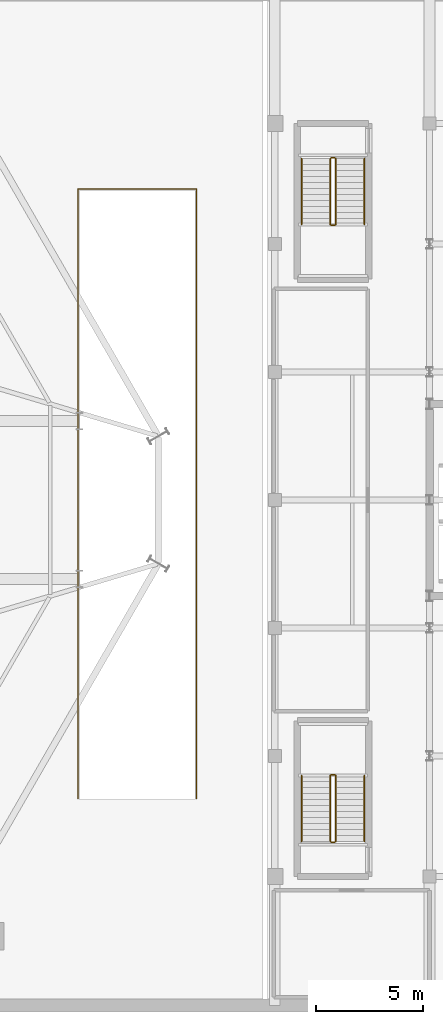
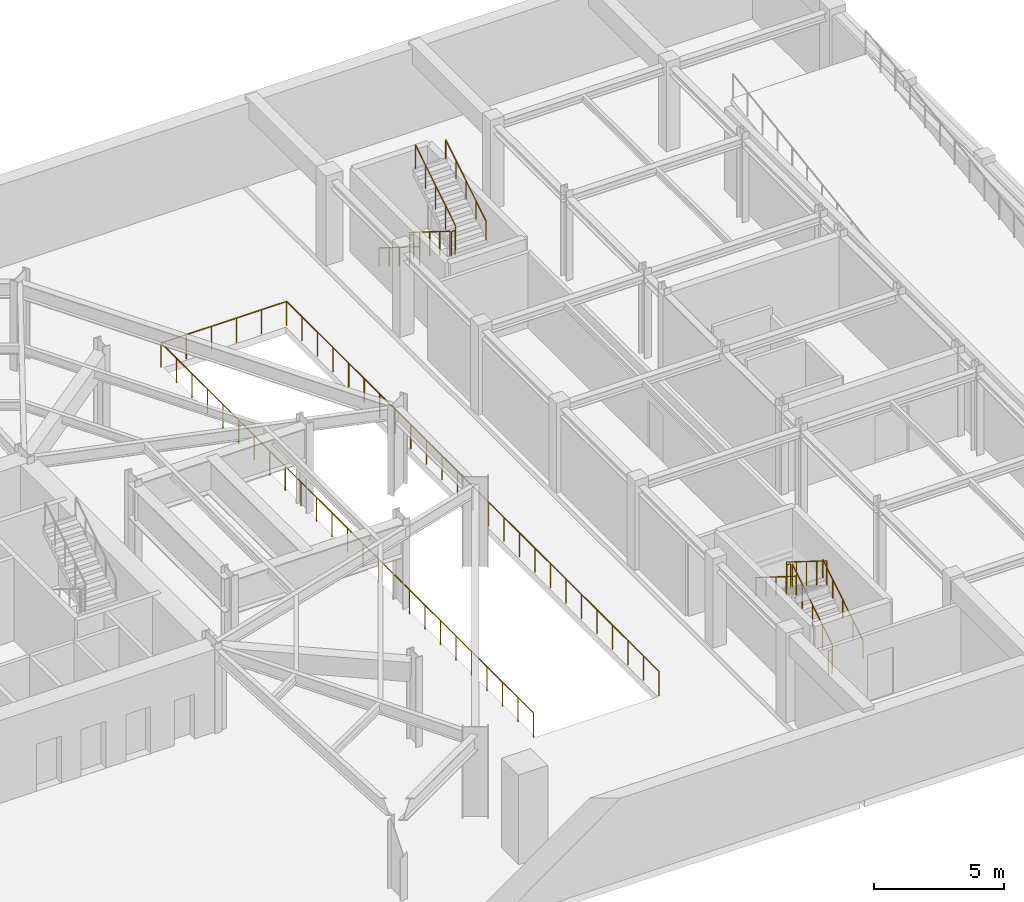
# One storey, part 11 of 12: 13 railings.
"""IFC4 building model written with IfcOpenShell, lengths in metres."""

from ifc_helpers import new_model, si_unit, direction, frame, origin, origin_2d, place, context, subcontext, project, spatial, circle, extrude, material, type_object, element, save


model = new_model("IFC4")

# Units and contexts
model_context = context("Model", 3, precision=1e-05, world=origin(), true_north=direction((0.0, 1.0)))
body_context = subcontext(model_context, "Body", "Model", "MODEL_VIEW")
ifc_project = project(units=[si_unit("LENGTHUNIT", "METRE"), si_unit("AREAUNIT", "SQUARE_METRE"), si_unit("VOLUMEUNIT", "CUBIC_METRE"), si_unit("PLANEANGLEUNIT", "RADIAN"), si_unit("MASSUNIT", "GRAM", prefix="KILO")], contexts=[model_context])

# Site, building, storey
site_placement = place(None, origin())
site = spatial("IfcSite", under=ifc_project, at=site_placement, CompositionType="ELEMENT")
building_placement = place(site_placement, origin())
building = spatial("IfcBuilding", under=site, at=building_placement, Name="Kranzbogen Civic Tower", CompositionType="ELEMENT")
storey_placement = place(building_placement, frame((0.0, 0.0, -4.199951171875)))
storey = spatial("IfcBuildingStorey", under=building, at=storey_placement, Name="B01", CompositionType="ELEMENT", Elevation=-4.199951171875)

# Railings
ifc_material_1 = material(Name="Steel S355", Category="steel")
railing_type_1 = type_object("IfcRailingType", Name="Internal Stair and Void Steel Guardrail 1150", PredefinedType="GUARDRAIL", material=ifc_material_1)
railing_1_placement = place(storey_placement, frame((55.199951171875, 9.0, 0.175048828125)))
element("IfcRailing", 1, at=railing_1_placement, inside=storey, type_object=railing_type_1, Name="B01 ST-H1 stair guard 1", PredefinedType="GUARDRAIL", context=body_context, shape_type="SweptSolid", body=[
    extrude(circle(Radius=0.02392578125, at=origin_2d()), frame((0.0, 0.0, 1.1259765625), z_axis=(0.0, 0.848028513186, 0.529950602248), x_axis=(-1.0, 0.0, 0.0)), (0.0, 0.0, 1.0), 3.632080078125),
    extrude(circle(Radius=0.02099609375, at=origin_2d()), origin(), (0.0, 0.0, 1.0), 1.101806640625),
    extrude(circle(Radius=0.02099609375, at=origin_2d()), frame((0.0, 0.77001953125, 0.481201171875)), (0.0, 0.0, 1.0), 1.101806640625),
    extrude(circle(Radius=0.02099609375, at=origin_2d()), frame((0.0, 1.5400390625, 0.96240234375)), (0.0, 0.0, 1.0), 1.101806640625),
    extrude(circle(Radius=0.02099609375, at=origin_2d()), frame((0.0, 2.31005859375, 1.443603515625)), (0.0, 0.0, 1.0), 1.101806640625),
    extrude(circle(Radius=0.02099609375, at=origin_2d()), frame((0.0, 3.080078125, 1.9248046875)), (0.0, 0.0, 1.0), 1.101806640625),
])
railing_2_placement = place(storey_placement, frame((55.14990234375, 12.1298828125, 2.099853515625)))
element("IfcRailing", 2, at=railing_2_placement, inside=storey, type_object=railing_type_1, Name="B01 ST-H1 stair guard 2", PredefinedType="GUARDRAIL", context=body_context, shape_type="SweptSolid", body=[
    extrude(circle(Radius=0.02392578125, at=origin_2d()), frame((0.0, 0.0, 1.1259765625), z_axis=(-1.0, 0.0, 0.0), x_axis=(0.0, -1.0, 0.0)), (0.0, 0.0, 1.0), 0.14990234375),
    extrude(circle(Radius=0.02099609375, at=origin_2d()), origin(), (0.0, 0.0, 1.0), 1.101806640625),
    extrude(circle(Radius=0.02099609375, at=origin_2d()), frame((-0.14990234375, 0.0, 0.0)), (0.0, 0.0, 1.0), 1.101806640625),
])
railing_3_placement = place(storey_placement, frame((54.949951171875, 12.080078125, 2.27490234375)))
element("IfcRailing", 3, at=railing_3_placement, inside=storey, type_object=railing_type_1, Name="B01 ST-H1 stair guard 3", PredefinedType="GUARDRAIL", context=body_context, shape_type="SweptSolid", body=[
    extrude(circle(Radius=0.02392578125, at=origin_2d()), frame((0.0, 0.0, 1.1259765625), z_axis=(0.0, -0.847998304005, 0.529998940003), x_axis=(1.0, 0.0, 0.0)), (0.0, 0.0, 1.0), 3.632080078125),
    extrude(circle(Radius=0.02099609375, at=origin_2d()), origin(), (0.0, 0.0, 1.0), 1.101806640625),
    extrude(circle(Radius=0.02099609375, at=origin_2d()), frame((0.0, -0.77001953125, 0.481201171875)), (0.0, 0.0, 1.0), 1.101806640625),
    extrude(circle(Radius=0.02099609375, at=origin_2d()), frame((0.0, -1.5400390625, 0.96240234375)), (0.0, 0.0, 1.0), 1.101806640625),
    extrude(circle(Radius=0.02099609375, at=origin_2d()), frame((0.0, -2.31005859375, 1.44384765625)), (0.0, 0.0, 1.0), 1.101806640625),
    extrude(circle(Radius=0.02099609375, at=origin_2d()), frame((0.0, -3.080078125, 1.925048828125)), (0.0, 0.0, 1.0), 1.101806640625),
])
railing_4_placement = place(storey_placement, frame((55.14990234375, 8.949951171875, 0.0)))
element("IfcRailing", 4, at=railing_4_placement, inside=storey, type_object=railing_type_1, Name="B01 ST-H1 stair guard 4", PredefinedType="GUARDRAIL", context=body_context, shape_type="SweptSolid", body=[
    extrude(circle(Radius=0.02392578125, at=origin_2d()), frame((0.0, 0.0, 1.1259765625), z_axis=(-1.0, 0.0, 0.0), x_axis=(0.0, -1.0, 0.0)), (0.0, 0.0, 1.0), 0.14990234375),
    extrude(circle(Radius=0.02099609375, at=origin_2d()), origin(), (0.0, 0.0, 1.0), 1.101806640625),
    extrude(circle(Radius=0.02099609375, at=origin_2d()), frame((-0.14990234375, 0.0, 0.0)), (0.0, 0.0, 1.0), 1.101806640625),
])
railing_5_placement = place(storey_placement, frame((54.949951171875, 41.0, 0.175048828125)))
element("IfcRailing", 5, at=railing_5_placement, inside=storey, type_object=railing_type_1, Name="B01 ST-H2 stair guard 1", PredefinedType="GUARDRAIL", context=body_context, shape_type="SweptSolid", body=[
    extrude(circle(Radius=0.02392578125, at=origin_2d()), frame((0.0, 0.0, 1.1259765625), z_axis=(0.0, -0.848028513186, 0.529950602248), x_axis=(1.0, 0.0, 0.0)), (0.0, 0.0, 1.0), 3.632080078125),
    extrude(circle(Radius=0.02099609375, at=origin_2d()), origin(), (0.0, 0.0, 1.0), 1.101806640625),
    extrude(circle(Radius=0.02099609375, at=origin_2d()), frame((0.0, -0.77001953125, 0.481201171875)), (0.0, 0.0, 1.0), 1.101806640625),
    extrude(circle(Radius=0.02099609375, at=origin_2d()), frame((0.0, -1.5400390625, 0.96240234375)), (0.0, 0.0, 1.0), 1.101806640625),
    extrude(circle(Radius=0.02099609375, at=origin_2d()), frame((0.0, -2.31005859375, 1.443603515625)), (0.0, 0.0, 1.0), 1.101806640625),
    extrude(circle(Radius=0.02099609375, at=origin_2d()), frame((0.0, -3.080078125, 1.9248046875)), (0.0, 0.0, 1.0), 1.101806640625),
])
railing_6_placement = place(storey_placement, frame((55.0, 37.8701171875, 2.099853515625)))
element("IfcRailing", 6, at=railing_6_placement, inside=storey, type_object=railing_type_1, Name="B01 ST-H2 stair guard 2", PredefinedType="GUARDRAIL", context=body_context, shape_type="SweptSolid", body=[
    extrude(circle(Radius=0.02392578125, at=origin_2d()), frame((0.0, 0.0, 1.1259765625), z_axis=(1.0, 0.0, 0.0), x_axis=(0.0, 1.0, 0.0)), (0.0, 0.0, 1.0), 0.14990234375),
    extrude(circle(Radius=0.02099609375, at=origin_2d()), origin(), (0.0, 0.0, 1.0), 1.101806640625),
    extrude(circle(Radius=0.02099609375, at=origin_2d()), frame((0.14990234375, 0.0, 0.0)), (0.0, 0.0, 1.0), 1.101806640625),
])
railing_7_placement = place(storey_placement, frame((55.199951171875, 37.919921875, 2.27490234375)))
element("IfcRailing", 7, at=railing_7_placement, inside=storey, type_object=railing_type_1, Name="B01 ST-H2 stair guard 3", PredefinedType="GUARDRAIL", context=body_context, shape_type="SweptSolid", body=[
    extrude(circle(Radius=0.02392578125, at=origin_2d()), frame((0.0, 0.0, 1.1259765625), z_axis=(0.0, 0.847998304005, 0.529998940003), x_axis=(-1.0, 0.0, 0.0)), (0.0, 0.0, 1.0), 3.632080078125),
    extrude(circle(Radius=0.02099609375, at=origin_2d()), origin(), (0.0, 0.0, 1.0), 1.101806640625),
    extrude(circle(Radius=0.02099609375, at=origin_2d()), frame((0.0, 0.77001953125, 0.481201171875)), (0.0, 0.0, 1.0), 1.101806640625),
    extrude(circle(Radius=0.02099609375, at=origin_2d()), frame((0.0, 1.5400390625, 0.96240234375)), (0.0, 0.0, 1.0), 1.101806640625),
    extrude(circle(Radius=0.02099609375, at=origin_2d()), frame((0.0, 2.31005859375, 1.44384765625)), (0.0, 0.0, 1.0), 1.101806640625),
    extrude(circle(Radius=0.02099609375, at=origin_2d()), frame((0.0, 3.080078125, 1.925048828125)), (0.0, 0.0, 1.0), 1.101806640625),
])
railing_8_placement = place(storey_placement, frame((55.0, 41.050048828125, 0.0)))
element("IfcRailing", 8, at=railing_8_placement, inside=storey, type_object=railing_type_1, Name="B01 ST-H2 stair guard 4", PredefinedType="GUARDRAIL", context=body_context, shape_type="SweptSolid", body=[
    extrude(circle(Radius=0.02392578125, at=origin_2d()), frame((0.0, 0.0, 1.1259765625), z_axis=(1.0, 0.0, 0.0), x_axis=(0.0, 1.0, 0.0)), (0.0, 0.0, 1.0), 0.14990234375),
    extrude(circle(Radius=0.02099609375, at=origin_2d()), origin(), (0.0, 0.0, 1.0), 1.101806640625),
    extrude(circle(Radius=0.02099609375, at=origin_2d()), frame((0.14990234375, 0.0, 0.0)), (0.0, 0.0, 1.0), 1.101806640625),
])
railing_9_placement = place(storey_placement, frame((43.1201171875, 11.0, 0.0)))
element("IfcRailing", 9, at=railing_9_placement, inside=storey, type_object=railing_type_1, Name="B01 vehicle ramp shaft perimeter guardrail", PredefinedType="GUARDRAIL", context=body_context, shape_type="SweptSolid", body=[
    extrude(circle(Radius=0.02392578125, at=origin_2d()), frame((0.0, 0.0, 1.1259765625), z_axis=(0.0, 1.0, 0.0), x_axis=(-1.0, 0.0, 0.0)), (0.0, 0.0, 1.0), 28.580078125),
    extrude(circle(Radius=0.02392578125, at=origin_2d()), frame((0.0, 28.580078125, 1.1259765625), z_axis=(1.0, 0.0, 0.0), x_axis=(0.0, 1.0, 0.0)), (0.0, 0.0, 1.0), 5.559814453125),
    extrude(circle(Radius=0.02392578125, at=origin_2d()), frame((5.559814453125, 28.580078125, 1.1259765625), z_axis=(0.0, -1.0, 0.0), x_axis=(1.0, 0.0, 0.0)), (0.0, 0.0, 1.0), 28.580078125),
    extrude(circle(Radius=0.02099609375, at=origin_2d()), origin(), (0.0, 0.0, 1.0), 1.101806640625),
    extrude(circle(Radius=0.02099609375, at=origin_2d()), frame((0.0, 1.19091796875, 0.0)), (0.0, 0.0, 1.0), 1.101806640625),
    extrude(circle(Radius=0.02099609375, at=origin_2d()), frame((0.0, 2.381591796875, 0.0)), (0.0, 0.0, 1.0), 1.101806640625),
    extrude(circle(Radius=0.02099609375, at=origin_2d()), frame((0.0, 3.572509765625, 0.0)), (0.0, 0.0, 1.0), 1.101806640625),
    extrude(circle(Radius=0.02099609375, at=origin_2d()), frame((0.0, 4.763427734375, 0.0)), (0.0, 0.0, 1.0), 1.101806640625),
    extrude(circle(Radius=0.02099609375, at=origin_2d()), frame((0.0, 5.9541015625, 0.0)), (0.0, 0.0, 1.0), 1.101806640625),
    extrude(circle(Radius=0.02099609375, at=origin_2d()), frame((0.0, 7.14501953125, 0.0)), (0.0, 0.0, 1.0), 1.101806640625),
    extrude(circle(Radius=0.02099609375, at=origin_2d()), frame((0.0, 8.3359375, 0.0)), (0.0, 0.0, 1.0), 1.101806640625),
    extrude(circle(Radius=0.02099609375, at=origin_2d()), frame((0.0, 9.526611328125, 0.0)), (0.0, 0.0, 1.0), 1.101806640625),
    extrude(circle(Radius=0.02099609375, at=origin_2d()), frame((0.0, 10.717529296875, 0.0)), (0.0, 0.0, 1.0), 1.101806640625),
    extrude(circle(Radius=0.02099609375, at=origin_2d()), frame((0.0, 11.908447265625, 0.0)), (0.0, 0.0, 1.0), 1.101806640625),
    extrude(circle(Radius=0.02099609375, at=origin_2d()), frame((0.0, 13.09912109375, 0.0)), (0.0, 0.0, 1.0), 1.101806640625),
    extrude(circle(Radius=0.02099609375, at=origin_2d()), frame((0.0, 14.2900390625, 0.0)), (0.0, 0.0, 1.0), 1.101806640625),
    extrude(circle(Radius=0.02099609375, at=origin_2d()), frame((0.0, 15.48095703125, 0.0)), (0.0, 0.0, 1.0), 1.101806640625),
    extrude(circle(Radius=0.02099609375, at=origin_2d()), frame((0.0, 16.671630859375, 0.0)), (0.0, 0.0, 1.0), 1.101806640625),
    extrude(circle(Radius=0.02099609375, at=origin_2d()), frame((0.0, 17.862548828125, 0.0)), (0.0, 0.0, 1.0), 1.101806640625),
    extrude(circle(Radius=0.02099609375, at=origin_2d()), frame((0.0, 19.053466796875, 0.0)), (0.0, 0.0, 1.0), 1.101806640625),
    extrude(circle(Radius=0.02099609375, at=origin_2d()), frame((0.0, 20.244140625, 0.0)), (0.0, 0.0, 1.0), 1.101806640625),
    extrude(circle(Radius=0.02099609375, at=origin_2d()), frame((0.0, 21.43505859375, 0.0)), (0.0, 0.0, 1.0), 1.101806640625),
    extrude(circle(Radius=0.02099609375, at=origin_2d()), frame((0.0, 22.6259765625, 0.0)), (0.0, 0.0, 1.0), 1.101806640625),
    extrude(circle(Radius=0.02099609375, at=origin_2d()), frame((0.0, 23.816650390625, 0.0)), (0.0, 0.0, 1.0), 1.101806640625),
    extrude(circle(Radius=0.02099609375, at=origin_2d()), frame((0.0, 25.007568359375, 0.0)), (0.0, 0.0, 1.0), 1.101806640625),
    extrude(circle(Radius=0.02099609375, at=origin_2d()), frame((0.0, 26.198486328125, 0.0)), (0.0, 0.0, 1.0), 1.101806640625),
    extrude(circle(Radius=0.02099609375, at=origin_2d()), frame((0.0, 27.38916015625, 0.0)), (0.0, 0.0, 1.0), 1.101806640625),
    extrude(circle(Radius=0.02099609375, at=origin_2d()), frame((0.0, 28.580078125, 0.0)), (0.0, 0.0, 1.0), 1.101806640625),
    extrude(circle(Radius=0.02099609375, at=origin_2d()), frame((1.112060546875, 28.580078125, 0.0)), (0.0, 0.0, 1.0), 1.101806640625),
    extrude(circle(Radius=0.02099609375, at=origin_2d()), frame((2.223876953125, 28.580078125, 0.0)), (0.0, 0.0, 1.0), 1.101806640625),
    extrude(circle(Radius=0.02099609375, at=origin_2d()), frame((3.3359375, 28.580078125, 0.0)), (0.0, 0.0, 1.0), 1.101806640625),
    extrude(circle(Radius=0.02099609375, at=origin_2d()), frame((4.44775390625, 28.580078125, 0.0)), (0.0, 0.0, 1.0), 1.101806640625),
    extrude(circle(Radius=0.02099609375, at=origin_2d()), frame((5.559814453125, 28.580078125, 0.0)), (0.0, 0.0, 1.0), 1.101806640625),
    extrude(circle(Radius=0.02099609375, at=origin_2d()), frame((5.559814453125, 27.38916015625, 0.0)), (0.0, 0.0, 1.0), 1.101806640625),
    extrude(circle(Radius=0.02099609375, at=origin_2d()), frame((5.559814453125, 26.198486328125, 0.0)), (0.0, 0.0, 1.0), 1.101806640625),
    extrude(circle(Radius=0.02099609375, at=origin_2d()), frame((5.559814453125, 25.007568359375, 0.0)), (0.0, 0.0, 1.0), 1.101806640625),
    extrude(circle(Radius=0.02099609375, at=origin_2d()), frame((5.559814453125, 23.816650390625, 0.0)), (0.0, 0.0, 1.0), 1.101806640625),
    extrude(circle(Radius=0.02099609375, at=origin_2d()), frame((5.559814453125, 22.6259765625, 0.0)), (0.0, 0.0, 1.0), 1.101806640625),
    extrude(circle(Radius=0.02099609375, at=origin_2d()), frame((5.559814453125, 21.43505859375, 0.0)), (0.0, 0.0, 1.0), 1.101806640625),
    extrude(circle(Radius=0.02099609375, at=origin_2d()), frame((5.559814453125, 20.244140625, 0.0)), (0.0, 0.0, 1.0), 1.101806640625),
    extrude(circle(Radius=0.02099609375, at=origin_2d()), frame((5.559814453125, 19.053466796875, 0.0)), (0.0, 0.0, 1.0), 1.101806640625),
    extrude(circle(Radius=0.02099609375, at=origin_2d()), frame((5.559814453125, 17.862548828125, 0.0)), (0.0, 0.0, 1.0), 1.101806640625),
    extrude(circle(Radius=0.02099609375, at=origin_2d()), frame((5.559814453125, 16.671630859375, 0.0)), (0.0, 0.0, 1.0), 1.101806640625),
    extrude(circle(Radius=0.02099609375, at=origin_2d()), frame((5.559814453125, 15.48095703125, 0.0)), (0.0, 0.0, 1.0), 1.101806640625),
    extrude(circle(Radius=0.02099609375, at=origin_2d()), frame((5.559814453125, 14.2900390625, 0.0)), (0.0, 0.0, 1.0), 1.101806640625),
    extrude(circle(Radius=0.02099609375, at=origin_2d()), frame((5.559814453125, 13.09912109375, 0.0)), (0.0, 0.0, 1.0), 1.101806640625),
    extrude(circle(Radius=0.02099609375, at=origin_2d()), frame((5.559814453125, 11.908447265625, 0.0)), (0.0, 0.0, 1.0), 1.101806640625),
    extrude(circle(Radius=0.02099609375, at=origin_2d()), frame((5.559814453125, 10.717529296875, 0.0)), (0.0, 0.0, 1.0), 1.101806640625),
    extrude(circle(Radius=0.02099609375, at=origin_2d()), frame((5.559814453125, 9.526611328125, 0.0)), (0.0, 0.0, 1.0), 1.101806640625),
    extrude(circle(Radius=0.02099609375, at=origin_2d()), frame((5.559814453125, 8.3359375, 0.0)), (0.0, 0.0, 1.0), 1.101806640625),
    extrude(circle(Radius=0.02099609375, at=origin_2d()), frame((5.559814453125, 7.14501953125, 0.0)), (0.0, 0.0, 1.0), 1.101806640625),
    extrude(circle(Radius=0.02099609375, at=origin_2d()), frame((5.559814453125, 5.9541015625, 0.0)), (0.0, 0.0, 1.0), 1.101806640625),
    extrude(circle(Radius=0.02099609375, at=origin_2d()), frame((5.559814453125, 4.763427734375, 0.0)), (0.0, 0.0, 1.0), 1.101806640625),
    extrude(circle(Radius=0.02099609375, at=origin_2d()), frame((5.559814453125, 3.572509765625, 0.0)), (0.0, 0.0, 1.0), 1.101806640625),
    extrude(circle(Radius=0.02099609375, at=origin_2d()), frame((5.559814453125, 2.381591796875, 0.0)), (0.0, 0.0, 1.0), 1.101806640625),
    extrude(circle(Radius=0.02099609375, at=origin_2d()), frame((5.559814453125, 1.19091796875, 0.0)), (0.0, 0.0, 1.0), 1.101806640625),
    extrude(circle(Radius=0.02099609375, at=origin_2d()), frame((5.559814453125, 0.0, 0.0)), (0.0, 0.0, 1.0), 1.101806640625),
])
ifc_material_2 = material(Name="Pale Anodised Aluminium", Category="aluminium")
railing_type_2 = type_object("IfcRailingType", Name="Tubular Stainless Stair Wall Handrail 900", PredefinedType="HANDRAIL", material=ifc_material_2)
railing_10_placement = place(storey_placement, frame((56.550048828125, 9.0, 0.175048828125)))
element("IfcRailing", 10, at=railing_10_placement, inside=storey, type_object=railing_type_2, Name="B01 ST-H1 stair handrail 1", PredefinedType="HANDRAIL", context=body_context, shape_type="SweptSolid", body=[
    extrude(circle(Radius=0.02392578125, at=origin_2d()), frame((0.0, 0.0, 0.8759765625), z_axis=(0.0, 0.848028513186, 0.529950602248), x_axis=(-1.0, 0.0, 0.0)), (0.0, 0.0, 1.0), 3.632080078125),
    extrude(circle(Radius=0.02099609375, at=origin_2d()), origin(), (0.0, 0.0, 1.0), 0.851806640625),
    extrude(circle(Radius=0.02099609375, at=origin_2d()), frame((0.0, 0.77001953125, 0.481201171875)), (0.0, 0.0, 1.0), 0.851806640625),
    extrude(circle(Radius=0.02099609375, at=origin_2d()), frame((0.0, 1.5400390625, 0.96240234375)), (0.0, 0.0, 1.0), 0.851806640625),
    extrude(circle(Radius=0.02099609375, at=origin_2d()), frame((0.0, 2.31005859375, 1.443603515625)), (0.0, 0.0, 1.0), 0.851806640625),
    extrude(circle(Radius=0.02099609375, at=origin_2d()), frame((0.0, 3.080078125, 1.9248046875)), (0.0, 0.0, 1.0), 0.851806640625),
])
railing_11_placement = place(storey_placement, frame((53.60009765625, 12.080078125, 2.27490234375)))
element("IfcRailing", 11, at=railing_11_placement, inside=storey, type_object=railing_type_2, Name="B01 ST-H1 stair handrail 2", PredefinedType="HANDRAIL", context=body_context, shape_type="SweptSolid", body=[
    extrude(circle(Radius=0.02392578125, at=origin_2d()), frame((0.0, 0.0, 0.8759765625), z_axis=(0.0, -0.847998304005, 0.529998940003), x_axis=(1.0, 0.0, 0.0)), (0.0, 0.0, 1.0), 3.632080078125),
    extrude(circle(Radius=0.02099609375, at=origin_2d()), origin(), (0.0, 0.0, 1.0), 0.851806640625),
    extrude(circle(Radius=0.02099609375, at=origin_2d()), frame((0.0, -0.77001953125, 0.481201171875)), (0.0, 0.0, 1.0), 0.851806640625),
    extrude(circle(Radius=0.02099609375, at=origin_2d()), frame((0.0, -1.5400390625, 0.96240234375)), (0.0, 0.0, 1.0), 0.851806640625),
    extrude(circle(Radius=0.02099609375, at=origin_2d()), frame((0.0, -2.31005859375, 1.44384765625)), (0.0, 0.0, 1.0), 0.851806640625),
    extrude(circle(Radius=0.02099609375, at=origin_2d()), frame((0.0, -3.080078125, 1.925048828125)), (0.0, 0.0, 1.0), 0.851806640625),
])
railing_12_placement = place(storey_placement, frame((53.60009765625, 41.0, 0.175048828125)))
element("IfcRailing", 12, at=railing_12_placement, inside=storey, type_object=railing_type_2, Name="B01 ST-H2 stair handrail 1", PredefinedType="HANDRAIL", context=body_context, shape_type="SweptSolid", body=[
    extrude(circle(Radius=0.02392578125, at=origin_2d()), frame((0.0, 0.0, 0.8759765625), z_axis=(0.0, -0.848028513186, 0.529950602248), x_axis=(1.0, 0.0, 0.0)), (0.0, 0.0, 1.0), 3.632080078125),
    extrude(circle(Radius=0.02099609375, at=origin_2d()), origin(), (0.0, 0.0, 1.0), 0.851806640625),
    extrude(circle(Radius=0.02099609375, at=origin_2d()), frame((0.0, -0.77001953125, 0.481201171875)), (0.0, 0.0, 1.0), 0.851806640625),
    extrude(circle(Radius=0.02099609375, at=origin_2d()), frame((0.0, -1.5400390625, 0.96240234375)), (0.0, 0.0, 1.0), 0.851806640625),
    extrude(circle(Radius=0.02099609375, at=origin_2d()), frame((0.0, -2.31005859375, 1.443603515625)), (0.0, 0.0, 1.0), 0.851806640625),
    extrude(circle(Radius=0.02099609375, at=origin_2d()), frame((0.0, -3.080078125, 1.9248046875)), (0.0, 0.0, 1.0), 0.851806640625),
])
railing_13_placement = place(storey_placement, frame((56.550048828125, 37.919921875, 2.27490234375)))
element("IfcRailing", 13, at=railing_13_placement, inside=storey, type_object=railing_type_2, Name="B01 ST-H2 stair handrail 2", PredefinedType="HANDRAIL", context=body_context, shape_type="SweptSolid", body=[
    extrude(circle(Radius=0.02392578125, at=origin_2d()), frame((0.0, 0.0, 0.8759765625), z_axis=(0.0, 0.847998304005, 0.529998940003), x_axis=(-1.0, 0.0, 0.0)), (0.0, 0.0, 1.0), 3.632080078125),
    extrude(circle(Radius=0.02099609375, at=origin_2d()), origin(), (0.0, 0.0, 1.0), 0.851806640625),
    extrude(circle(Radius=0.02099609375, at=origin_2d()), frame((0.0, 0.77001953125, 0.481201171875)), (0.0, 0.0, 1.0), 0.851806640625),
    extrude(circle(Radius=0.02099609375, at=origin_2d()), frame((0.0, 1.5400390625, 0.96240234375)), (0.0, 0.0, 1.0), 0.851806640625),
    extrude(circle(Radius=0.02099609375, at=origin_2d()), frame((0.0, 2.31005859375, 1.44384765625)), (0.0, 0.0, 1.0), 0.851806640625),
    extrude(circle(Radius=0.02099609375, at=origin_2d()), frame((0.0, 3.080078125, 1.925048828125)), (0.0, 0.0, 1.0), 0.851806640625),
])

save(model, "model.ifc")
